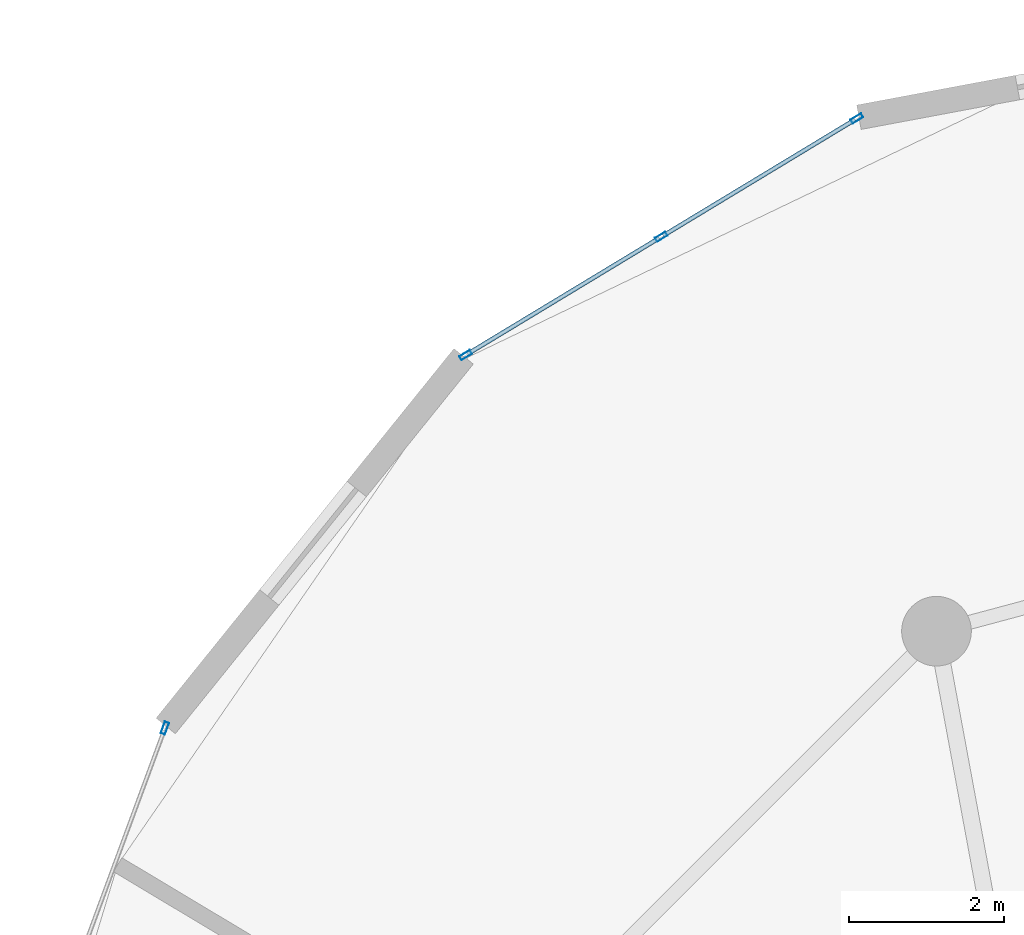
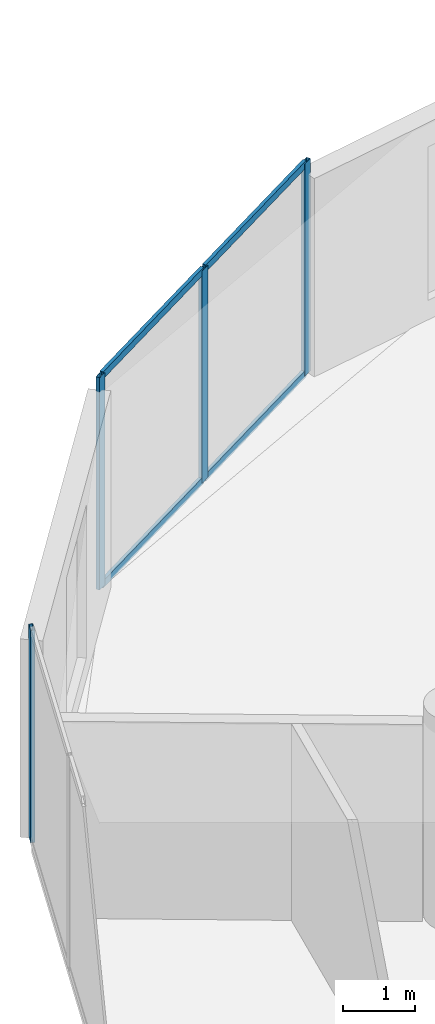
# One storey, part 13 of 21: 8 members, 2 elements without a shape of their own.
"""IFC4 building model written with IfcOpenShell, lengths in metres."""

from ifc_helpers import new_model, si_unit, direction, frame, origin, origin_2d, place, context, subcontext, project, spatial, hollow_rectangle, extrude, source, transform, mapped, material, layer, layer_set, material_profile, profile_set, type_object, element, aggregate, save


model = new_model("IFC4")

# Units and contexts
model_context = context("Model", 3, precision=1e-05, world=origin(), true_north=direction((0.0, 1.0)))
body_context = subcontext(model_context, "Body", "Model", "MODEL_VIEW")
ifc_project = project(units=[si_unit("LENGTHUNIT", "METRE"), si_unit("AREAUNIT", "SQUARE_METRE"), si_unit("VOLUMEUNIT", "CUBIC_METRE"), si_unit("PLANEANGLEUNIT", "RADIAN"), si_unit("MASSUNIT", "GRAM", prefix="KILO")], contexts=[model_context])

# Site, building, storey
site_placement = place(None, origin())
site = spatial("IfcSite", under=ifc_project, at=site_placement, CompositionType="ELEMENT")
building_placement = place(site_placement, origin())
building = spatial("IfcBuilding", under=site, at=building_placement, Name="Solvirekh Grand Hotel", CompositionType="ELEMENT")
storey_placement = place(building_placement, frame((0.0, 0.0, 216.39990234375)))
storey = spatial("IfcBuildingStorey", under=building, at=storey_placement, Name="L56", CompositionType="ELEMENT", Elevation=216.39990234375)

# Curtain wall, members
ifc_material = material(Name="Anodized Bronze Aluminium 6063-T6", Category="aluminium")
ifc_layer = layer(ifc_material, 0.159912109375)
ifc_layer_set = layer_set([ifc_layer], Name="Anodized Bronze Aluminium 6063-T6")
curtain_wall_type = type_object("IfcCurtainWallType", Name="CW_Sys4_HighZoneFlushBronzeCW", PredefinedType="NOTDEFINED", material=ifc_layer_set)
curtain_wall_1_placement = place(storey_placement, origin())
curtain_wall_1 = element("IfcCurtainWall", 1, at=curtain_wall_1_placement, inside=storey, type_object=curtain_wall_type, Name="L56 unitised bronze-glass curtain wall CW-L56-C11", PredefinedType="NOTDEFINED")
ifc_material_profile_1 = material_profile(ifc_material, hollow_rectangle(XDim=0.06005859375, YDim=0.159912109375, WallThickness=0.0048828125, at=origin_2d()), Name="ALU RHS 160X60X5")
ifc_profile_set_1 = profile_set([ifc_material_profile_1], Name="Anodized Bronze Aluminium 6063-T6")
member_type_1 = type_object("IfcMemberType", Name="CWMullion_Sys4", PredefinedType="MULLION", material=ifc_profile_set_1)
shared_shape_1 = source(origin(), body_context, "Body", "SweptSolid", [
    extrude(hollow_rectangle(XDim=0.06005859375, YDim=0.159912109375, WallThickness=0.0048828125, at=origin_2d()), origin(), (0.0, 0.0, 1.0), 3.60009765625),
])
member_1_placement = place(storey_placement, frame((-8.927734375, 20.306396484375, 0.0), z_axis=(0.0, 0.0, 1.0), x_axis=(0.517499245993, -0.855683662575, 0.0)))
member_1 = element("IfcMember", 2, at=member_1_placement, type_object=member_type_1, Name="U04 mullion 1", PredefinedType="MULLION", context=body_context, shape_type="MappedRepresentation", body=[
    mapped(shared_shape_1, transform((0.0, 0.0, 0.0), x_axis=(1.0, 0.0, 0.0), y_axis=(0.0, 1.0, 0.0), z_axis=(0.0, 0.0, 1.0), scale=1.0)),
])
member_2_placement = place(storey_placement, frame((-11.455078125, 18.778076171875, 0.0), z_axis=(0.0, 0.0, 1.0), x_axis=(0.517499245993, -0.855683662575, 0.0)))
member_2 = element("IfcMember", 3, at=member_2_placement, type_object=member_type_1, Name="U04 mullion 2", PredefinedType="MULLION", context=body_context, shape_type="MappedRepresentation", body=[
    mapped(shared_shape_1, transform((0.0, 0.0, 0.0), x_axis=(1.0, 0.0, 0.0), y_axis=(0.0, 1.0, 0.0), z_axis=(0.0, 0.0, 1.0), scale=1.0)),
])
member_3_placement = place(storey_placement, frame((-13.982421875, 17.24951171875, 0.0), z_axis=(0.0, 0.0, 1.0), x_axis=(0.517499245993, -0.855683662575, 0.0)))
member_3 = element("IfcMember", 4, at=member_3_placement, type_object=member_type_1, Name="U04 mullion 3", PredefinedType="MULLION", context=body_context, shape_type="MappedRepresentation", body=[
    mapped(shared_shape_1, transform((0.0, 0.0, 0.0), x_axis=(1.0, 0.0, 0.0), y_axis=(0.0, 1.0, 0.0), z_axis=(0.0, 0.0, 1.0), scale=1.0)),
])

# Curtain wall, member
curtain_wall_2_placement = place(storey_placement, origin())
curtain_wall_2 = element("IfcCurtainWall", 5, at=curtain_wall_2_placement, inside=storey, type_object=curtain_wall_type, Name="L56 unitised bronze-glass curtain wall CW-L56-C13", PredefinedType="NOTDEFINED")
member_4_placement = place(storey_placement, frame((-17.866455078125, 12.431884765625, 0.0), z_axis=(0.0, 0.0, 1.0), x_axis=(0.938155923947, -0.34621303032, 0.0)))
member_4 = element("IfcMember", 6, at=member_4_placement, type_object=member_type_1, Name="U04 mullion 1", PredefinedType="MULLION", context=body_context, shape_type="MappedRepresentation", body=[
    mapped(shared_shape_1, transform((0.0, 0.0, 0.0), x_axis=(1.0, 0.0, 0.0), y_axis=(0.0, 1.0, 0.0), z_axis=(0.0, 0.0, 1.0), scale=1.0)),
])
aggregate(curtain_wall_2, [member_4])

# Member
ifc_material_profile_2 = material_profile(ifc_material, hollow_rectangle(XDim=0.054931640625, YDim=0.1201171875, WallThickness=0.00390625, at=origin_2d()), Name="ALU RHS 120X55X4")
ifc_profile_set_2 = profile_set([ifc_material_profile_2], Name="Anodized Bronze Aluminium 6063-T6")
member_type_2 = type_object("IfcMemberType", Name="CWTransom_Sys4", PredefinedType="USERDEFINED", material=ifc_profile_set_2)
shared_shape_2 = source(origin(), body_context, "Body", "SweptSolid", [
    extrude(hollow_rectangle(XDim=0.054931640625, YDim=0.1201171875, WallThickness=0.00390625, at=origin_2d()), origin(), (0.0, 0.0, 1.0), 2.893310546875),
])
member_5_placement = place(storey_placement, frame((-11.480712890625, 18.762451171875, 0.027587890625), z_axis=(-0.85568593106, -0.517495495039, 0.0), x_axis=(0.517495495039, -0.85568593106, 0.0)))
member_5 = element("IfcMember", 7, at=member_5_placement, type_object=member_type_2, Name="U04 transom 2.1", ObjectType="TRANSOM", PredefinedType="USERDEFINED", context=body_context, shape_type="MappedRepresentation", body=[
    mapped(shared_shape_2, transform((0.0, 0.0, 0.0), x_axis=(1.0, 0.0, 0.0), y_axis=(0.0, 1.0, 0.0), z_axis=(0.0, 0.0, 1.0), scale=1.0)),
])

member_6_placement = place(storey_placement, frame((-11.480712890625, 18.762451171875, 3.572509765625), z_axis=(-0.85568593106, -0.517495495039, 0.0), x_axis=(0.517495495039, -0.85568593106, 0.0)))
member_6 = element("IfcMember", 8, at=member_6_placement, type_object=member_type_2, Name="U04 transom 2.2", ObjectType="TRANSOM", PredefinedType="USERDEFINED", context=body_context, shape_type="MappedRepresentation", body=[
    mapped(shared_shape_2, transform((0.0, 0.0, 0.0), x_axis=(1.0, 0.0, 0.0), y_axis=(0.0, 1.0, 0.0), z_axis=(0.0, 0.0, 1.0), scale=1.0)),
])

shared_shape_3 = source(origin(), body_context, "Body", "SweptSolid", [
    extrude(hollow_rectangle(XDim=0.054931640625, YDim=0.1201171875, WallThickness=0.00390625, at=origin_2d()), origin(), (0.0, 0.0, 1.0), 2.893798828125),
])
member_7_placement = place(storey_placement, frame((-8.953369140625, 20.291015625, 0.027587890625), z_axis=(-0.855671165109, -0.517519909956, 0.0), x_axis=(0.517519909956, -0.855671165109, 0.0)))
member_7 = element("IfcMember", 9, at=member_7_placement, type_object=member_type_2, Name="U04 transom 1.1", ObjectType="TRANSOM", PredefinedType="USERDEFINED", context=body_context, shape_type="MappedRepresentation", body=[
    mapped(shared_shape_3, transform((0.0, 0.0, 0.0), x_axis=(1.0, 0.0, 0.0), y_axis=(0.0, 1.0, 0.0), z_axis=(0.0, 0.0, 1.0), scale=1.0)),
])

member_8_placement = place(storey_placement, frame((-8.953369140625, 20.291015625, 3.572509765625), z_axis=(-0.855671165109, -0.517519909956, 0.0), x_axis=(0.517519909956, -0.855671165109, 0.0)))
member_8 = element("IfcMember", 10, at=member_8_placement, type_object=member_type_2, Name="U04 transom 1.2", ObjectType="TRANSOM", PredefinedType="USERDEFINED", context=body_context, shape_type="MappedRepresentation", body=[
    mapped(shared_shape_3, transform((0.0, 0.0, 0.0), x_axis=(1.0, 0.0, 0.0), y_axis=(0.0, 1.0, 0.0), z_axis=(0.0, 0.0, 1.0), scale=1.0)),
])

aggregate(curtain_wall_1, [member_1, member_2, member_3, member_7, member_8, member_5, member_6])

save(model, "model.ifc")
